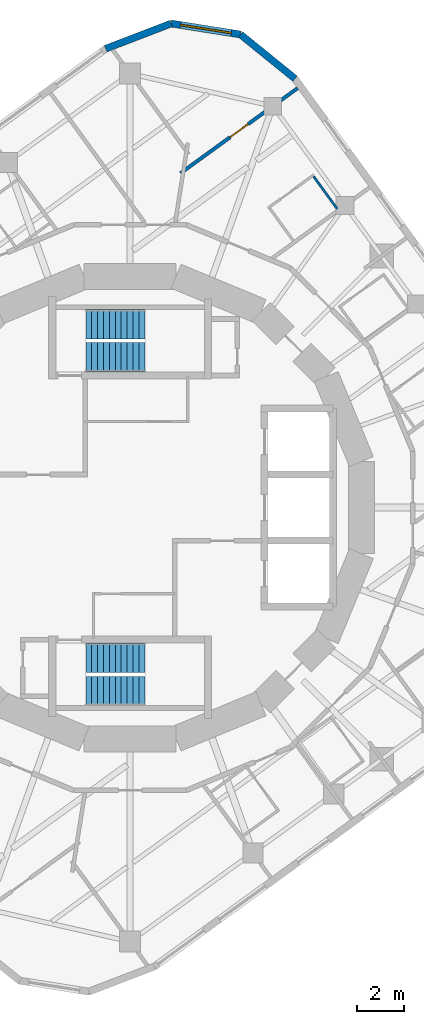
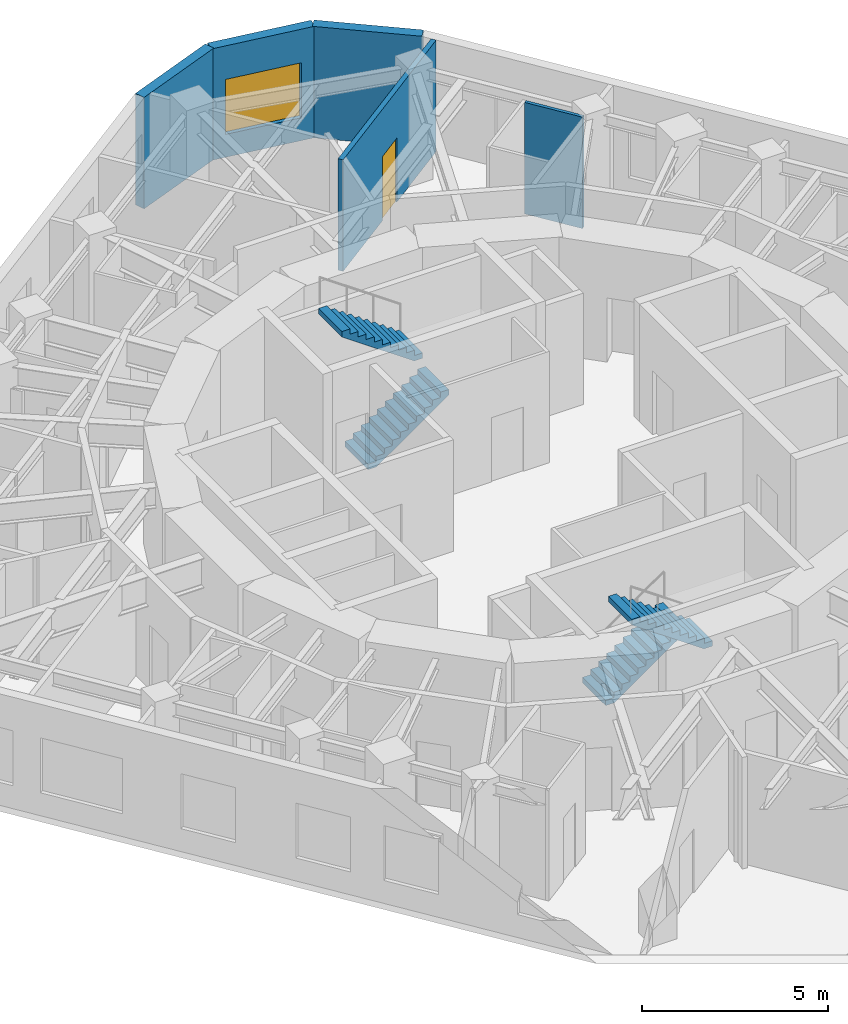
# One storey, part 8 of 9: 5 walls, 4 stair flights, 1 door, 1 window, 2 openings, 2 elements without a shape of their own.
"""IFC4 building model written with IfcOpenShell, lengths in metres."""

import ifcopenshell
import ifcopenshell.guid

model = None  # the IFC model being written
_history = None  # IfcOwnerHistory: only IFC2X3 demands one
_inside = {}  # id of a spatial element -> (the spatial element, [elements in it])
_under = {}  # id of a project, library or spatial element -> (it, [spatial elements below it])
_declared = {}  # id of a project -> (the project, [libraries it declares])
_typed = {}  # id of a type object -> (the type object, [elements of that type])
_made_of = {}  # id of a material, layer set ... -> (it, [elements and type objects made of it])


def new_model(schema):
    """Start an empty IFC model of exactly this schema.

    Asked for "IFC4X3", IfcOpenShell would pick the latest addendum, in which some entities
    have other attributes; the version numbers below select the first issue.
    IFC2X3 requires an IfcOwnerHistory on every rooted entity: one is made here for all.
    """
    global model, _history
    if schema == "IFC4X3":
        model = ifcopenshell.file(schema_version=(4, 3, 0, 0))
    else:
        model = ifcopenshell.file(schema=schema)
    _inside.clear()
    _under.clear()
    _declared.clear()
    _typed.clear()
    _made_of.clear()
    _history = None
    if model.schema == "IFC2X3":
        org = make("IfcOrganization", Name="unknown")
        user = make(
            "IfcPersonAndOrganization",
            ThePerson=make("IfcPerson", FamilyName="unknown"),
            TheOrganization=org,
        )
        app = make(
            "IfcApplication",
            ApplicationDeveloper=org,
            Version="unknown",
            ApplicationFullName="unknown",
            ApplicationIdentifier="unknown",
        )
        _history = make(
            "IfcOwnerHistory",
            OwningUser=user,
            OwningApplication=app,
            ChangeAction="ADDED",
            CreationDate=0,
        )
    return model


def make(cls, **values):
    """One entity of the class cls with the attributes given. An attribute that is None is left unset."""
    return model.create_entity(
        cls, **{name: value for name, value in values.items() if value is not None}
    )


def rooted(cls, **values):
    """An entity with a GlobalId (a new one), such as an element, a storey or a relation."""
    return make(cls, GlobalId=ifcopenshell.guid.new(), OwnerHistory=_history, **values)


def si_unit(unit_type, name, prefix=None):
    """IfcSIUnit, for example si_unit("LENGTHUNIT", "METRE", prefix="MILLI")."""
    return make("IfcSIUnit", UnitType=unit_type, Prefix=prefix, Name=name)


def assignment(units):
    """IfcUnitAssignment: the units of a project."""
    return None if units is None else make("IfcUnitAssignment", Units=units)


def point(xyz):
    """IfcCartesianPoint."""
    return None if xyz is None else make("IfcCartesianPoint", Coordinates=xyz)


def direction(xyz):
    """IfcDirection."""
    return None if xyz is None else make("IfcDirection", DirectionRatios=xyz)


def frame(location, z_axis=None, x_axis=None):
    """IfcAxis2Placement3D, a coordinate frame: its origin and axes. An axis left out is left unset."""
    return make(
        "IfcAxis2Placement3D",
        Location=point(location),
        Axis=direction(z_axis),
        RefDirection=direction(x_axis),
    )


def frame_2d(location, x_axis=None):
    """IfcAxis2Placement2D, a coordinate frame in the plane: its origin and x axis."""
    return make(
        "IfcAxis2Placement2D", Location=point(location), RefDirection=direction(x_axis)
    )


def origin():
    """The frame at (0, 0, 0) with its axes left unset."""
    return frame((0.0, 0.0, 0.0))


def place(relative_to, where):
    """IfcLocalPlacement: puts the frame where relative to a parent placement (None: the world)."""
    return make(
        "IfcLocalPlacement", PlacementRelTo=relative_to, RelativePlacement=where
    )


def context(
    kind, dimensions, precision=None, world=None, true_north=None, identifier=None
):
    """IfcGeometricRepresentationContext, for example the 3D "Model" context."""
    return make(
        "IfcGeometricRepresentationContext",
        ContextIdentifier=identifier,
        ContextType=kind,
        CoordinateSpaceDimension=dimensions,
        Precision=precision,
        WorldCoordinateSystem=world,
        TrueNorth=true_north,
    )


def subcontext(parent, identifier, kind, view, scale=None):
    """IfcGeometricRepresentationSubContext, for example "Body" below "Model"."""
    return make(
        "IfcGeometricRepresentationSubContext",
        ContextIdentifier=identifier,
        ContextType=kind,
        ParentContext=parent,
        TargetScale=scale,
        TargetView=view,
    )


def project(units=None, contexts=None):
    """IfcProject with its units and contexts."""
    return rooted(
        "IfcProject",
        Name="project",
        RepresentationContexts=contexts,
        UnitsInContext=assignment(units),
    )


def spatial(cls, under=None, at=None, **own):
    """A site, building, storey or space (cls), placed at a placement, below another one or the project."""
    s = rooted(cls, ObjectPlacement=at, **own)
    if under is not None:
        _under.setdefault(under.id(), (under, []))[1].append(s)
    return s


def polyline(points):
    """IfcPolyline through the points."""
    return make("IfcPolyline", Points=[point(p) for p in points])


def profile(cls, at=None, kind="AREA", **sizes):
    """A parametric profile (cls). Its sizes go by their IFC names, for example OverallWidth=200.0."""
    return make(cls, ProfileType=kind, Position=at, **sizes)


def rectangle(**sizes):
    """IfcRectangleProfileDef."""
    return profile("IfcRectangleProfileDef", **sizes)


def outline(outer, holes=None, kind="AREA"):
    """IfcArbitraryClosedProfileDef: a profile drawn as a closed curve; with holes, ...WithVoids."""
    if holes is None:
        return make("IfcArbitraryClosedProfileDef", ProfileType=kind, OuterCurve=outer)
    return make(
        "IfcArbitraryProfileDefWithVoids",
        ProfileType=kind,
        OuterCurve=outer,
        InnerCurves=holes,
    )


def extrude(swept, where, along, depth):
    """IfcExtrudedAreaSolid: the profile swept, set in the frame where, extruded along a direction by depth."""
    return make(
        "IfcExtrudedAreaSolid",
        SweptArea=swept,
        Position=where,
        ExtrudedDirection=direction(along),
        Depth=depth,
    )


def shape(context_of_items, identifier, shape_type, items):
    """IfcShapeRepresentation: the items that make up one representation, for example the "Body"."""
    return make(
        "IfcShapeRepresentation",
        ContextOfItems=context_of_items,
        RepresentationIdentifier=identifier,
        RepresentationType=shape_type,
        Items=items,
    )


def material(Name=None, Category=None):
    """IfcMaterial."""
    return make("IfcMaterial", Name=Name, Category=Category)


def layer(
    of_material, thickness, ventilated=None, Name=None, Category=None, Priority=None
):
    """IfcMaterialLayer: one layer of a wall or slab, of a material (None: an air gap)."""
    return make(
        "IfcMaterialLayer",
        Material=of_material,
        LayerThickness=thickness,
        IsVentilated=ventilated,
        Name=Name,
        Category=Category,
        Priority=Priority,
    )


def layer_set(layers, Name=None):
    """IfcMaterialLayerSet."""
    return make("IfcMaterialLayerSet", MaterialLayers=layers, LayerSetName=Name)


def made_of(thing, what):
    """Note that an element or type object is made of a material, layer set ...; save() writes the relation."""
    if what is not None:
        _made_of.setdefault(what.id(), (what, []))[1].append(thing)
    return thing


def type_object(cls, material=None, **own):
    """A type object (cls), such as IfcWallType, which elements share."""
    return made_of(rooted(cls, **own), material)


def element(
    cls,
    number,
    at=None,
    inside=None,
    cuts=None,
    type_object=None,
    material=None,
    context=None,
    identifier="Body",
    shape_type=None,
    held_by="IfcProductDefinitionShape",
    body=None,
    shapes=None,
    **own,
):
    """One element of the class cls, such as IfcWall. Its Tag is "e" and its number.

    at: its placement. inside: the storey or other place that contains it. cuts: it is an
    opening in that element (IfcRelVoidsElement). A single representation is given by context,
    identifier, shape_type and body (its items); several are given by shapes. held_by: the class
    of the entity that holds the representations. save() writes the other relations.
    """
    e = rooted(cls, Tag="e%d" % number, ObjectPlacement=at, **own)
    if body is not None:
        shapes = [shape(context, identifier, shape_type, body)]
    if shapes is not None:
        e.Representation = make(held_by, Representations=shapes)
    if inside is not None:
        _inside.setdefault(inside.id(), (inside, []))[1].append(e)
    if cuts is not None:
        rooted(
            "IfcRelVoidsElement", RelatingBuildingElement=cuts, RelatedOpeningElement=e
        )
    if type_object is not None:
        _typed.setdefault(type_object.id(), (type_object, []))[1].append(e)
    return made_of(e, material)


def fill(opening, filler):
    """IfcRelFillsElement: the door or window that sits in an opening."""
    return rooted(
        "IfcRelFillsElement",
        RelatingOpeningElement=opening,
        RelatedBuildingElement=filler,
    )


def aggregate(whole, parts):
    """IfcRelAggregates: a whole, such as a stair, and the parts it consists of."""
    return rooted("IfcRelAggregates", RelatingObject=whole, RelatedObjects=parts)


def save(model, path):
    """Write the relations noted so far, then the file.

    IfcRelAggregates (storeys below a building ...), IfcRelContainedInSpatialStructure (elements
    in a storey), IfcRelDefinesByType, IfcRelAssociatesMaterial and IfcRelDeclares: one each for
    every whole, place, type object, material and project.
    """
    for whole, parts in _under.values():
        aggregate(whole, parts)
    for where, things in _inside.values():
        rooted(
            "IfcRelContainedInSpatialStructure",
            RelatedElements=things,
            RelatingStructure=where,
        )
    for kind, things in _typed.values():
        rooted("IfcRelDefinesByType", RelatedObjects=things, RelatingType=kind)
    for what, things in _made_of.values():
        rooted("IfcRelAssociatesMaterial", RelatedObjects=things, RelatingMaterial=what)
    for by, libraries in _declared.values():
        rooted("IfcRelDeclares", RelatingContext=by, RelatedDefinitions=libraries)
    model.write(path)


model = new_model("IFC4")

# Units and contexts
model_context = context("Model", 3, precision=1e-05, world=origin(), true_north=direction((0.0, 1.0)))
body_context = subcontext(model_context, "Body", "Model", "MODEL_VIEW")
ifc_project = project(units=[si_unit("LENGTHUNIT", "METRE"), si_unit("AREAUNIT", "SQUARE_METRE"), si_unit("VOLUMEUNIT", "CUBIC_METRE"), si_unit("PLANEANGLEUNIT", "RADIAN"), si_unit("MASSUNIT", "GRAM", prefix="KILO")], contexts=[model_context])

# Site, building, storey
site_placement = place(None, origin())
site = spatial("IfcSite", under=ifc_project, at=site_placement, CompositionType="ELEMENT")
building_placement = place(site_placement, origin())
building = spatial("IfcBuilding", under=site, at=building_placement, Name="Nakasero Lantern House", CompositionType="ELEMENT")
storey_placement = place(building_placement, frame((0.0, 0.0, 275.300048828125)))
storey = spatial("IfcBuildingStorey", under=building, at=storey_placement, Name="L67", CompositionType="ELEMENT", Elevation=275.300048828125)

# Walls
ifc_material_1 = material(Name="Blockwork", Category="masonry")
ifc_layer_1 = layer(ifc_material_1, 0.10009765625)
ifc_layer_set_1 = layer_set([ifc_layer_1], Name="En-suite wall 100")
wall_type_1 = type_object("IfcWallType", Name="En-suite wall 100", PredefinedType="PARTITIONING", material=ifc_layer_set_1)
wall_1_placement = place(storey_placement, frame((8.78271484375, 12.665771484375, 0.0), z_axis=(0.0, 0.0, 1.0), x_axis=(-0.587821529301, 0.808990636343, 0.0)))
element("IfcWall", 1, at=wall_1_placement, inside=storey, type_object=wall_type_1, Name="En-suite wall L67 EE0-06", PredefinedType="PARTITIONING", context=body_context, shape_type="SweptSolid", body=[
    extrude(rectangle(XDim=1.699951171875, YDim=0.10009765625, at=frame_2d((0.85009765625, 0.0))), origin(), (0.0, 0.0, 1.0), 3.64990234375),
])
ifc_material_2 = material(Name="Aluminium rainscreen on blockwork", Category="masonry")
ifc_layer_2 = layer(ifc_material_2, 0.300048828125)
ifc_layer_set_2 = layer_set([ifc_layer_2], Name="Facade wall 300")
wall_type_2 = type_object("IfcWallType", Name="Facade wall 300", PredefinedType="SOLIDWALL", material=ifc_layer_set_2)
wall_2_placement = place(storey_placement, frame((6.996826171875, 18.185791015625, 0.0), z_axis=(0.0, 0.0, 1.0), x_axis=(-0.777101588319, 0.629375183362, 0.0)))
element("IfcWall", 2, at=wall_2_placement, inside=storey, type_object=wall_type_2, Name="Facade wall L67 FW0C1", PredefinedType="SOLIDWALL", context=body_context, shape_type="SweptSolid", body=[
    extrude(rectangle(XDim=2.976318359375, YDim=0.300048828125, at=frame_2d((1.48828125, 0.0))), origin(), (0.0, 0.0, 1.0), 3.64990234375),
])

# Wall, opening, window
wall_3_placement = place(storey_placement, frame((4.683837890625, 20.05908203125, 0.0), z_axis=(0.0, 0.0, 1.0), x_axis=(-0.987691704133, 0.156413227021, 0.0)))
wall_3 = element("IfcWall", 3, at=wall_3_placement, inside=storey, type_object=wall_type_2, Name="Facade wall L67 FW0C2", PredefinedType="SOLIDWALL", context=body_context, shape_type="SweptSolid", body=[
    extrude(rectangle(XDim=2.9765625, YDim=0.300048828125, at=frame_2d((1.48828125, 0.0))), origin(), (0.0, 0.0, 1.0), 3.64990234375),
])
opening_1_placement = place(wall_3_placement, frame((0.39990234375, 0.0, 0.75)))
opening_1 = element("IfcOpeningElement", 4, at=opening_1_placement, cuts=wall_3, Name="Opening W221", PredefinedType="OPENING", context=body_context, shape_type="SweptSolid", body=[
    extrude(rectangle(XDim=2.176025390625, YDim=1.800048828125, at=frame_2d((1.087890625, 0.89990234375))), frame((0.0, 0.169921875, 0.0), z_axis=(0.0, -1.0, 0.0), x_axis=(1.0, 0.0, 0.0)), (0.0, 0.0, 1.0), 0.340087890625),
])
ifc_material_3 = material(Name="Aluminium 6063-T6 and glass", Category="aluminium")
window_type = type_object("IfcWindowType", Name="Corner window 2176x1800", PartitioningType="SINGLE_PANEL", PredefinedType="WINDOW", material=ifc_material_3)
window_placement = place(opening_1_placement, origin())
window = element("IfcWindow", 5, at=window_placement, inside=storey, type_object=window_type, Name="Window L67 WC0", OverallHeight=1.800048828125, OverallWidth=2.176025390625, PartitioningType="SINGLE_PANEL", PredefinedType="WINDOW", context=body_context, shape_type="SweptSolid", body=[
    extrude(rectangle(XDim=2.176025390625, YDim=1.800048828125, at=frame_2d((1.087890625, 0.89990234375))), frame((0.0, 0.030029296875, 0.0), z_axis=(0.0, -1.0, 0.0), x_axis=(1.0, 0.0, 0.0)), (0.0, 0.0, 1.0), 0.06005859375),
])
fill(opening_1, window)

# Wall
wall_4_placement = place(storey_placement, frame((1.743896484375, 20.524658203125, 0.0), z_axis=(0.0, 0.0, 1.0), x_axis=(-0.933573745966, -0.35838535244, 0.0)))
element("IfcWall", 6, at=wall_4_placement, inside=storey, type_object=wall_type_2, Name="Facade wall L67 FW0C3", PredefinedType="SOLIDWALL", context=body_context, shape_type="SweptSolid", body=[
    extrude(rectangle(XDim=2.976318359375, YDim=0.300048828125, at=frame_2d((1.48828125, 0.0))), origin(), (0.0, 0.0, 1.0), 3.64990234375),
])

# Wall, opening, door
ifc_material_4 = material(Name="Blockwork", Category="masonry")
ifc_layer_3 = layer(ifc_material_4, 0.14990234375)
ifc_layer_set_3 = layer_set([ifc_layer_3], Name="Party wall 150")
wall_type_3 = type_object("IfcWallType", Name="Party wall 150", PredefinedType="PARTITIONING", material=ifc_layer_set_3)
wall_5_placement = place(storey_placement, frame((2.137939453125, 14.1767578125, 0.0), z_axis=(0.0, 0.0, 1.0), x_axis=(0.809024975628, 0.587774266883, 0.0)))
wall_5 = element("IfcWall", 7, at=wall_5_placement, inside=storey, type_object=wall_type_3, Name="Party wall L67 PW0-07", PredefinedType="PARTITIONING", context=body_context, shape_type="SweptSolid", body=[
    extrude(rectangle(XDim=6.137451171875, YDim=0.14990234375, at=frame_2d((3.06884765625, 0.0))), origin(), (0.0, 0.0, 1.0), 3.64990234375),
])
opening_2_placement = place(wall_5_placement, frame((2.60009765625, 0.0, 0.0)))
opening_2 = element("IfcOpeningElement", 8, at=opening_2_placement, cuts=wall_5, Name="Opening D01", PredefinedType="OPENING", context=body_context, shape_type="SweptSolid", body=[
    extrude(rectangle(XDim=0.949951171875, YDim=2.10009765625, at=frame_2d((0.47509765625, 1.050048828125))), frame((0.0, 0.094970703125, 0.0), z_axis=(0.0, -1.0, 0.0), x_axis=(1.0, 0.0, 0.0)), (0.0, 0.0, 1.0), 0.18994140625),
])
ifc_material_5 = material(Name="Timber C24", Category="wood")
door_type = type_object("IfcDoorType", Name="Bedroom door FD30S 950", OperationType="SINGLE_SWING_LEFT", PredefinedType="DOOR", material=ifc_material_5)
door_placement = place(opening_2_placement, origin())
door = element("IfcDoor", 9, at=door_placement, inside=storey, type_object=door_type, Name="Door L67 DC0", OperationType="SINGLE_SWING_RIGHT", OverallHeight=2.10009765625, OverallWidth=0.949951171875, PredefinedType="DOOR", context=body_context, shape_type="SweptSolid", body=[
    extrude(rectangle(XDim=0.949951171875, YDim=2.10009765625, at=frame_2d((0.47509765625, 1.050048828125))), frame((0.0, 0.02490234375, 0.0), z_axis=(0.0, -1.0, 0.0), x_axis=(1.0, 0.0, 0.0)), (0.0, 0.0, 1.0), 0.050048828125),
])
fill(opening_2, door)

# Stair, stair flights
ifc_material_6 = material(Name="Concrete C40/50", Category="concrete")
stair_type_1 = type_object("IfcStairType", Name="Escape stair ST1 22 risers", PredefinedType="HALF_TURN_STAIR", material=ifc_material_6)
stair_1_placement = place(storey_placement, origin())
stair_1 = element("IfcStair", 10, at=stair_1_placement, inside=storey, type_object=stair_type_1, Name="Escape stair ST1 L67", PredefinedType="HALF_TURN_STAIR")
ifc_material_7 = material(Name="Concrete C40/50", Category="concrete")
stair_flight_type = type_object("IfcStairFlightType", Name="Escape stair flight", PredefinedType="STRAIGHT", material=ifc_material_7)
stair_flight_1_placement = place(storey_placement, frame((-1.875, 6.375, 0.0), z_axis=(0.0, 0.0, 1.0), x_axis=(1.0, 0.0, 0.0)))
stair_flight_1 = element("IfcStairFlight", 11, at=stair_flight_1_placement, type_object=stair_flight_type, Name="ST1 flight 1", NumberOfRisers=11, NumberOfTreads=10, PredefinedType="STRAIGHT", RiserHeight=0.175, TreadLength=0.25, context=body_context, shape_type="SweptSolid", body=[
    extrude(outline(polyline([(0.0, 0.0), (0.0, 0.175048828125), (0.25, 0.175048828125), (0.25, 0.35009765625), (0.5, 0.35009765625), (0.5, 0.52490234375), (0.75, 0.52490234375), (0.75, 0.699951171875), (1.0, 0.699951171875), (1.0, 0.875), (1.25, 0.875), (1.25, 1.050048828125), (1.5, 1.050048828125), (1.5, 1.22509765625), (1.75, 1.22509765625), (1.75, 1.39990234375), (2.0, 1.39990234375), (2.0, 1.574951171875), (2.25, 1.574951171875), (2.25, 1.75), (2.5, 1.75), (2.5, 1.925048828125), (2.5, 1.567138671875), (0.261474609375, 0.0), (0.0, 0.0)])), frame((0.0, 0.625, 0.0), z_axis=(0.0, -1.0, 0.0), x_axis=(1.0, 0.0, 0.0)), (0.0, 0.0, 1.0), 1.25),
])
stair_flight_2_placement = place(storey_placement, frame((0.625, 7.77490234375, 1.925048828125), z_axis=(0.0, 0.0, 1.0), x_axis=(-1.0, 0.0, 0.0)))
stair_flight_2 = element("IfcStairFlight", 12, at=stair_flight_2_placement, type_object=stair_flight_type, Name="ST1 flight 2", NumberOfRisers=11, NumberOfTreads=10, PredefinedType="STRAIGHT", RiserHeight=0.175, TreadLength=0.25, context=body_context, shape_type="SweptSolid", body=[
    extrude(outline(polyline([(0.0, 0.0), (0.0, 0.175048828125), (0.25, 0.175048828125), (0.25, 0.35009765625), (0.5, 0.35009765625), (0.5, 0.52490234375), (0.75, 0.52490234375), (0.75, 0.699951171875), (1.0, 0.699951171875), (1.0, 0.875), (1.25, 0.875), (1.25, 1.050048828125), (1.5, 1.050048828125), (1.5, 1.22509765625), (1.75, 1.22509765625), (1.75, 1.39990234375), (2.0, 1.39990234375), (2.0, 1.574951171875), (2.25, 1.574951171875), (2.25, 1.75), (2.5, 1.75), (2.5, 1.925048828125), (2.5, 1.567138671875), (0.261474609375, 0.0), (0.0, 0.0)])), frame((0.0, 0.625, 0.0), z_axis=(0.0, -1.0, 0.0), x_axis=(1.0, 0.0, 0.0)), (0.0, 0.0, 1.0), 1.25),
])
aggregate(stair_1, [stair_flight_1, stair_flight_2])

ifc_material_8 = material(Name="Concrete C40/50", Category="concrete")
stair_type_2 = type_object("IfcStairType", Name="Escape stair ST2 22 risers", PredefinedType="HALF_TURN_STAIR", material=ifc_material_8)
stair_2_placement = place(storey_placement, origin())
stair_2 = element("IfcStair", 13, at=stair_2_placement, inside=storey, type_object=stair_type_2, Name="Escape stair ST2 L67", PredefinedType="HALF_TURN_STAIR")
stair_flight_3_placement = place(storey_placement, frame((-1.875, -6.375, 0.0), z_axis=(0.0, 0.0, 1.0), x_axis=(1.0, 0.0, 0.0)))
stair_flight_3 = element("IfcStairFlight", 14, at=stair_flight_3_placement, type_object=stair_flight_type, Name="ST2 flight 1", NumberOfRisers=11, NumberOfTreads=10, PredefinedType="STRAIGHT", RiserHeight=0.175, TreadLength=0.25, context=body_context, shape_type="SweptSolid", body=[
    extrude(outline(polyline([(0.0, 0.0), (0.0, 0.175048828125), (0.25, 0.175048828125), (0.25, 0.35009765625), (0.5, 0.35009765625), (0.5, 0.52490234375), (0.75, 0.52490234375), (0.75, 0.699951171875), (1.0, 0.699951171875), (1.0, 0.875), (1.25, 0.875), (1.25, 1.050048828125), (1.5, 1.050048828125), (1.5, 1.22509765625), (1.75, 1.22509765625), (1.75, 1.39990234375), (2.0, 1.39990234375), (2.0, 1.574951171875), (2.25, 1.574951171875), (2.25, 1.75), (2.5, 1.75), (2.5, 1.925048828125), (2.5, 1.567138671875), (0.261474609375, 0.0), (0.0, 0.0)])), frame((0.0, 0.625, 0.0), z_axis=(0.0, -1.0, 0.0), x_axis=(1.0, 0.0, 0.0)), (0.0, 0.0, 1.0), 1.25),
])
stair_flight_4_placement = place(storey_placement, frame((0.625, -7.77490234375, 1.925048828125), z_axis=(0.0, 0.0, 1.0), x_axis=(-1.0, 0.0, 0.0)))
stair_flight_4 = element("IfcStairFlight", 15, at=stair_flight_4_placement, type_object=stair_flight_type, Name="ST2 flight 2", NumberOfRisers=11, NumberOfTreads=10, PredefinedType="STRAIGHT", RiserHeight=0.175, TreadLength=0.25, context=body_context, shape_type="SweptSolid", body=[
    extrude(outline(polyline([(0.0, 0.0), (0.0, 0.175048828125), (0.25, 0.175048828125), (0.25, 0.35009765625), (0.5, 0.35009765625), (0.5, 0.52490234375), (0.75, 0.52490234375), (0.75, 0.699951171875), (1.0, 0.699951171875), (1.0, 0.875), (1.25, 0.875), (1.25, 1.050048828125), (1.5, 1.050048828125), (1.5, 1.22509765625), (1.75, 1.22509765625), (1.75, 1.39990234375), (2.0, 1.39990234375), (2.0, 1.574951171875), (2.25, 1.574951171875), (2.25, 1.75), (2.5, 1.75), (2.5, 1.925048828125), (2.5, 1.567138671875), (0.261474609375, 0.0), (0.0, 0.0)])), frame((0.0, 0.625, 0.0), z_axis=(0.0, -1.0, 0.0), x_axis=(1.0, 0.0, 0.0)), (0.0, 0.0, 1.0), 1.25),
])
aggregate(stair_2, [stair_flight_3, stair_flight_4])

save(model, "model.ifc")
